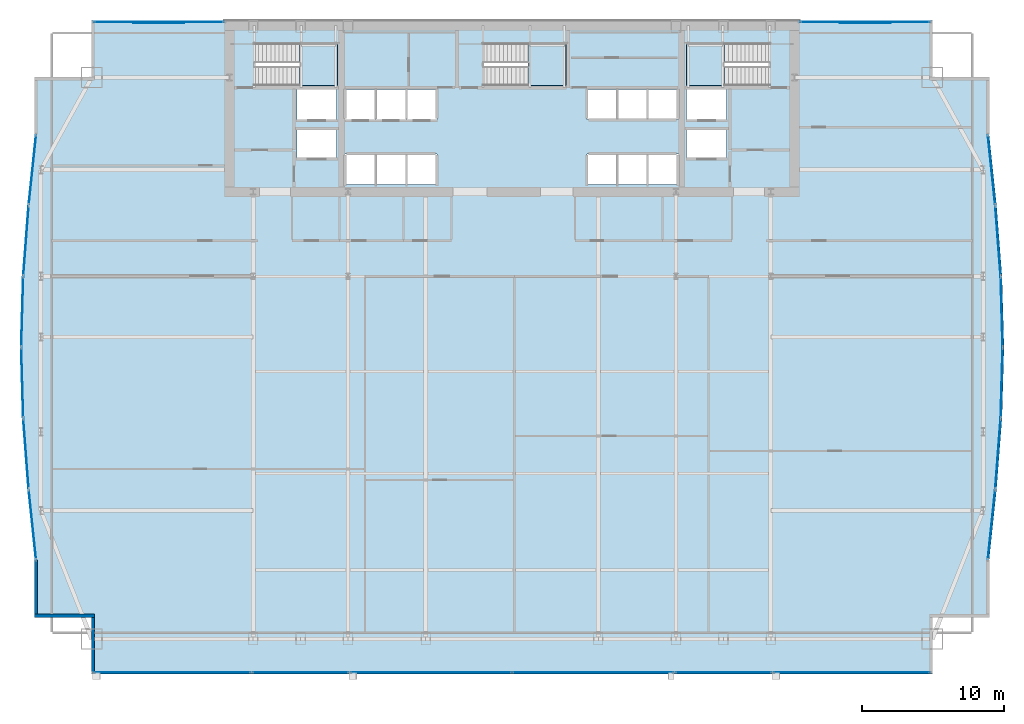
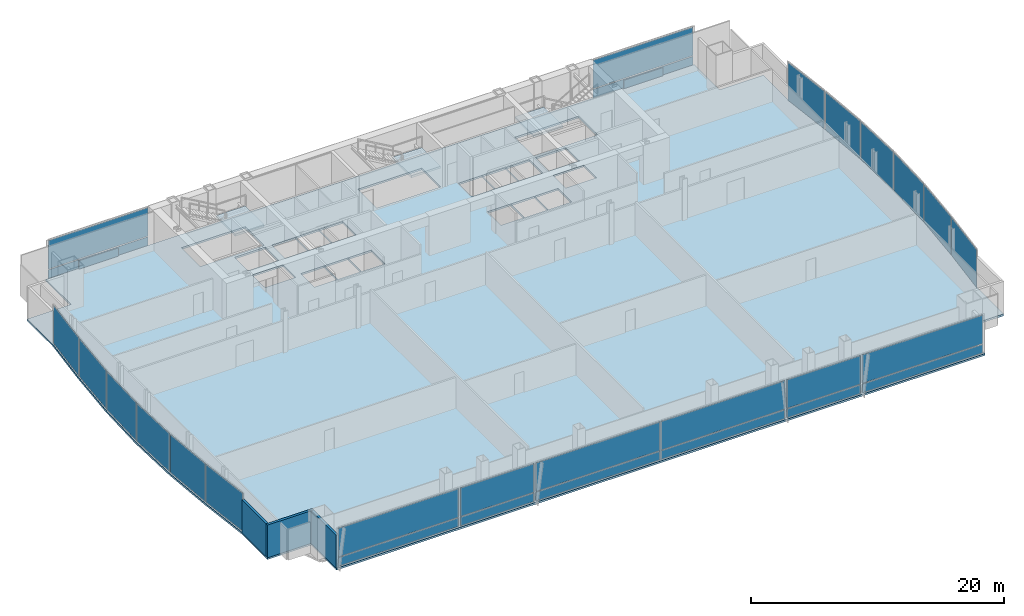
# One storey, part 25 of 30: 30 plates, 4 slabs, 3 walls, 22 elements without a shape of their own.
"""IFC4 building model written with IfcOpenShell, lengths in metres."""

from ifc_helpers import new_model, si_unit, direction, frame, frame_2d, origin, origin_2d, place, context, subcontext, project, spatial, polyline, rectangle, outline, extrude, material, layer, layer_set, type_object, element, aggregate, save


model = new_model("IFC4")

# Units and contexts
model_context = context("Model", 3, precision=1e-05, world=origin(), true_north=direction((0.0, 1.0)))
body_context = subcontext(model_context, "Body", "Model", "MODEL_VIEW")
ifc_project = project(units=[si_unit("LENGTHUNIT", "METRE"), si_unit("AREAUNIT", "SQUARE_METRE"), si_unit("VOLUMEUNIT", "CUBIC_METRE"), si_unit("PLANEANGLEUNIT", "RADIAN"), si_unit("MASSUNIT", "GRAM", prefix="KILO")], contexts=[model_context])

# Site, building, storey
site_placement = place(None, origin())
site = spatial("IfcSite", under=ifc_project, at=site_placement, CompositionType="ELEMENT")
building_placement = place(site_placement, origin())
building = spatial("IfcBuilding", under=site, at=building_placement, Name="Khoronbel Lancet Exchange", CompositionType="ELEMENT")
storey_placement = place(building_placement, frame((0.0, 0.0, 98.60009765625)))
storey = spatial("IfcBuildingStorey", under=building, at=storey_placement, Name="L23", CompositionType="ELEMENT", Elevation=98.60009765625)

# Curtain wall, plate
ifc_material_1 = material(Name="Low-E Solar Control Insulating Glass", Category="glass")
curtain_wall_type_1 = type_object("IfcCurtainWallType", Name="CW-4", PredefinedType="NOTDEFINED", material=ifc_material_1)
curtain_wall_1_placement = place(storey_placement, origin())
curtain_wall_1 = element("IfcCurtainWall", 1, at=curtain_wall_1_placement, inside=storey, type_object=curtain_wall_type_1, Name="Unitised curtain wall CW-L23-E05", PredefinedType="NOTDEFINED")
ifc_material_2 = material(Name="Bronze-Anodised Aluminium 6063-T6", Category="aluminium")
ifc_layer_1 = layer(ifc_material_2, 0.050048828125, Name="Bronze-Anodised Aluminium 6063-T6")
ifc_layer_set_1 = layer_set([ifc_layer_1], Name="Bronze-Anodised Aluminium 6063-T6")
plate_type_1 = type_object("IfcPlateType", Name="PLT-CSP1", PredefinedType="SHEET", material=ifc_layer_set_1)
plate_1_placement = place(storey_placement, frame((2.22265625, 23.206298828125, 0.0849609375), z_axis=(0.0, 0.0, 1.0), x_axis=(-0.076626304874, 0.997059882555, 0.0)))
plate_1 = element("IfcPlate", 2, at=plate_1_placement, type_object=plate_type_1, Name="CW4 panel 1.1", PredefinedType="CURTAIN_PANEL", context=body_context, shape_type="SweptSolid", body=[
    extrude(rectangle(XDim=4.861328125, YDim=0.0380859375, at=origin_2d()), origin(), (0.0, 0.0, 1.0), 3.64990234375),
])
aggregate(curtain_wall_1, [plate_1])

curtain_wall_2_placement = place(storey_placement, origin())
curtain_wall_2 = element("IfcCurtainWall", 3, at=curtain_wall_2_placement, inside=storey, type_object=curtain_wall_type_1, Name="Unitised curtain wall CW-L23-E06", PredefinedType="NOTDEFINED")
plate_2_placement = place(storey_placement, frame((1.960205078125, 28.202392578125, 0.0849609375), z_axis=(0.0, 0.0, 1.0), x_axis=(-0.028135315146, 0.999604123662, 0.0)))
plate_2 = element("IfcPlate", 4, at=plate_2_placement, type_object=plate_type_1, Name="CW4 panel 1.1", PredefinedType="CURTAIN_PANEL", context=body_context, shape_type="SweptSolid", body=[
    extrude(rectangle(XDim=4.84716796875, YDim=0.0380859375, at=origin_2d()), origin(), (0.0, 0.0, 1.0), 3.64990234375),
])
aggregate(curtain_wall_2, [plate_2])

curtain_wall_3_placement = place(storey_placement, origin())
curtain_wall_3 = element("IfcCurtainWall", 5, at=curtain_wall_3_placement, inside=storey, type_object=curtain_wall_type_1, Name="Unitised curtain wall CW-L23-E07", PredefinedType="NOTDEFINED")
plate_3_placement = place(storey_placement, frame((1.960205078125, 33.19775390625, 0.0849609375), z_axis=(0.0, 0.0, 1.0), x_axis=(0.028135315146, 0.999604123662, 0.0)))
plate_3 = element("IfcPlate", 6, at=plate_3_placement, type_object=plate_type_1, Name="CW4 panel 1.1", PredefinedType="CURTAIN_PANEL", context=body_context, shape_type="SweptSolid", body=[
    extrude(rectangle(XDim=4.84716796875, YDim=0.0380859375, at=origin_2d()), origin(), (0.0, 0.0, 1.0), 3.64990234375),
])
aggregate(curtain_wall_3, [plate_3])

curtain_wall_4_placement = place(storey_placement, origin())
curtain_wall_4 = element("IfcCurtainWall", 7, at=curtain_wall_4_placement, inside=storey, type_object=curtain_wall_type_1, Name="Unitised curtain wall CW-L23-E08", PredefinedType="NOTDEFINED")
plate_4_placement = place(storey_placement, frame((2.22265625, 38.193603515625, 0.0849609375), z_axis=(0.0, 0.0, 1.0), x_axis=(0.076626304874, 0.997059882555, 0.0)))
plate_4 = element("IfcPlate", 8, at=plate_4_placement, type_object=plate_type_1, Name="CW4 panel 1.1", PredefinedType="CURTAIN_PANEL", context=body_context, shape_type="SweptSolid", body=[
    extrude(rectangle(XDim=4.861328125, YDim=0.0380859375, at=origin_2d()), origin(), (0.0, 0.0, 1.0), 3.64990234375),
])
aggregate(curtain_wall_4, [plate_4])

curtain_wall_type_2 = type_object("IfcCurtainWallType", Name="CW-2", PredefinedType="NOTDEFINED", material=ifc_material_1)
curtain_wall_5_placement = place(storey_placement, origin())
curtain_wall_5 = element("IfcCurtainWall", 9, at=curtain_wall_5_placement, inside=storey, type_object=curtain_wall_type_2, Name="Unitised curtain wall CW-L23-NWFLK", PredefinedType="NOTDEFINED")
plate_5_placement = place(storey_placement, frame((11.580078125, 53.550048828125, 0.0498046875), z_axis=(0.0, 0.0, 1.0), x_axis=(-1.0, 0.0, 0.0)))
plate_5 = element("IfcPlate", 10, at=plate_5_placement, type_object=plate_type_1, Name="Insulated bronze spandrel cassette CW-L23-NWFLK", PredefinedType="SHEET", context=body_context, shape_type="SweptSolid", body=[
    extrude(rectangle(XDim=3.60009765625, YDim=0.050048828125, at=origin_2d()), origin(), (0.0, 0.0, 1.0), 0.800048828125),
])

curtain_wall_6_placement = place(storey_placement, origin())
curtain_wall_6 = element("IfcCurtainWall", 11, at=curtain_wall_6_placement, inside=storey, type_object=curtain_wall_type_2, Name="Unitised curtain wall CW-L23-NEFLK", PredefinedType="NOTDEFINED")
plate_6_placement = place(storey_placement, frame((61.320068359375, 53.550048828125, 0.0498046875), z_axis=(0.0, 0.0, 1.0), x_axis=(-1.0, 0.0, 0.0)))
plate_6 = element("IfcPlate", 12, at=plate_6_placement, type_object=plate_type_1, Name="Insulated bronze spandrel cassette CW-L23-NEFLK", PredefinedType="SHEET", context=body_context, shape_type="SweptSolid", body=[
    extrude(rectangle(XDim=3.60009765625, YDim=0.050048828125, at=origin_2d()), origin(), (0.0, 0.0, 1.0), 0.800048828125),
])

curtain_wall_7_placement = place(storey_placement, origin())
curtain_wall_7 = element("IfcCurtainWall", 13, at=curtain_wall_7_placement, inside=storey, type_object=curtain_wall_type_1, Name="Unitised curtain wall CW-L23-E18", PredefinedType="NOTDEFINED")
plate_7_placement = place(storey_placement, frame((70.677490234375, 38.193603515625, 0.0849609375), z_axis=(0.0, 0.0, 1.0), x_axis=(0.076626304874, -0.997059882555, 0.0)))
plate_7 = element("IfcPlate", 14, at=plate_7_placement, type_object=plate_type_1, Name="CW4 panel 1.1", PredefinedType="CURTAIN_PANEL", context=body_context, shape_type="SweptSolid", body=[
    extrude(rectangle(XDim=4.861328125, YDim=0.0380859375, at=origin_2d()), origin(), (0.0, 0.0, 1.0), 3.64990234375),
])
aggregate(curtain_wall_7, [plate_7])

curtain_wall_8_placement = place(storey_placement, origin())
curtain_wall_8 = element("IfcCurtainWall", 15, at=curtain_wall_8_placement, inside=storey, type_object=curtain_wall_type_1, Name="Unitised curtain wall CW-L23-E19", PredefinedType="NOTDEFINED")
plate_8_placement = place(storey_placement, frame((70.939697265625, 33.19775390625, 0.0849609375), z_axis=(0.0, 0.0, 1.0), x_axis=(0.028135315146, -0.999604123662, 0.0)))
plate_8 = element("IfcPlate", 16, at=plate_8_placement, type_object=plate_type_1, Name="CW4 panel 1.1", PredefinedType="CURTAIN_PANEL", context=body_context, shape_type="SweptSolid", body=[
    extrude(rectangle(XDim=4.84716796875, YDim=0.0380859375, at=origin_2d()), origin(), (0.0, 0.0, 1.0), 3.64990234375),
])
aggregate(curtain_wall_8, [plate_8])

curtain_wall_9_placement = place(storey_placement, origin())
curtain_wall_9 = element("IfcCurtainWall", 17, at=curtain_wall_9_placement, inside=storey, type_object=curtain_wall_type_1, Name="Unitised curtain wall CW-L23-E20", PredefinedType="NOTDEFINED")
plate_9_placement = place(storey_placement, frame((70.939697265625, 28.202392578125, 0.0849609375), z_axis=(0.0, 0.0, 1.0), x_axis=(-0.028135315146, -0.999604123662, 0.0)))
plate_9 = element("IfcPlate", 18, at=plate_9_placement, type_object=plate_type_1, Name="CW4 panel 1.1", PredefinedType="CURTAIN_PANEL", context=body_context, shape_type="SweptSolid", body=[
    extrude(rectangle(XDim=4.84716796875, YDim=0.0380859375, at=origin_2d()), origin(), (0.0, 0.0, 1.0), 3.64990234375),
])
aggregate(curtain_wall_9, [plate_9])

curtain_wall_10_placement = place(storey_placement, origin())
curtain_wall_10 = element("IfcCurtainWall", 19, at=curtain_wall_10_placement, inside=storey, type_object=curtain_wall_type_1, Name="Unitised curtain wall CW-L23-E21", PredefinedType="NOTDEFINED")
plate_10_placement = place(storey_placement, frame((70.677490234375, 23.206298828125, 0.0849609375), z_axis=(0.0, 0.0, 1.0), x_axis=(-0.076626304874, -0.997059882555, 0.0)))
plate_10 = element("IfcPlate", 20, at=plate_10_placement, type_object=plate_type_1, Name="CW4 panel 1.1", PredefinedType="CURTAIN_PANEL", context=body_context, shape_type="SweptSolid", body=[
    extrude(rectangle(XDim=4.861328125, YDim=0.0380859375, at=origin_2d()), origin(), (0.0, 0.0, 1.0), 3.64990234375),
])
aggregate(curtain_wall_10, [plate_10])

# Curtain wall, plates
curtain_wall_11_placement = place(storey_placement, origin())
curtain_wall_11 = element("IfcCurtainWall", 21, at=curtain_wall_11_placement, inside=storey, type_object=curtain_wall_type_2, Name="Unitised curtain wall CW-L23-SWB", PredefinedType="NOTDEFINED")
plate_11_placement = place(storey_placement, frame((21.550048828125, 7.7900390625, 0.0849609375), z_axis=(0.0, 0.0, 1.0), x_axis=(1.0, 0.0, 0.0)))
plate_11 = element("IfcPlate", 22, at=plate_11_placement, type_object=plate_type_1, Name="CW2 panel 1.1", PredefinedType="CURTAIN_PANEL", context=body_context, shape_type="SweptSolid", body=[
    extrude(rectangle(XDim=6.72998046875, YDim=0.0380859375, at=origin_2d()), origin(), (0.0, 0.0, 1.0), 0.822509765625),
])
plate_12_placement = place(storey_placement, frame((21.550048828125, 7.7900390625, 0.99267578125), z_axis=(0.0, 0.0, 1.0), x_axis=(1.0, 0.0, 0.0)))
plate_12 = element("IfcPlate", 23, at=plate_12_placement, type_object=plate_type_1, Name="CW2 panel 1.2", PredefinedType="CURTAIN_PANEL", context=body_context, shape_type="SweptSolid", body=[
    extrude(rectangle(XDim=6.72998046875, YDim=0.0380859375, at=origin_2d()), origin(), (0.0, 0.0, 1.0), 2.742431640625),
])
aggregate(curtain_wall_11, [plate_11, plate_12])

curtain_wall_12_placement = place(storey_placement, origin())
curtain_wall_12 = element("IfcCurtainWall", 24, at=curtain_wall_12_placement, inside=storey, type_object=curtain_wall_type_2, Name="Unitised curtain wall CW-L23-SEB", PredefinedType="NOTDEFINED")
plate_13_placement = place(storey_placement, frame((51.35009765625, 7.7900390625, 0.0849609375), z_axis=(0.0, 0.0, 1.0), x_axis=(1.0, 0.0, 0.0)))
plate_13 = element("IfcPlate", 25, at=plate_13_placement, type_object=plate_type_1, Name="CW2 panel 1.1", PredefinedType="CURTAIN_PANEL", context=body_context, shape_type="SweptSolid", body=[
    extrude(rectangle(XDim=6.72998046875, YDim=0.0380859375, at=origin_2d()), origin(), (0.0, 0.0, 1.0), 0.822509765625),
])
plate_14_placement = place(storey_placement, frame((51.35009765625, 7.7900390625, 0.99267578125), z_axis=(0.0, 0.0, 1.0), x_axis=(1.0, 0.0, 0.0)))
plate_14 = element("IfcPlate", 26, at=plate_14_placement, type_object=plate_type_1, Name="CW2 panel 1.2", PredefinedType="CURTAIN_PANEL", context=body_context, shape_type="SweptSolid", body=[
    extrude(rectangle(XDim=6.72998046875, YDim=0.0380859375, at=origin_2d()), origin(), (0.0, 0.0, 1.0), 2.742431640625),
])
aggregate(curtain_wall_12, [plate_13, plate_14])

# Plate
ifc_layer_2 = layer(ifc_material_1, 0.035888671875, Name="Low-E Solar Control Insulating Glass")
ifc_layer_set_2 = layer_set([ifc_layer_2], Name="Low-E Solar Control Insulating Glass")
plate_type_2 = type_object("IfcPlateType", Name="PLT-CWP1", PredefinedType="CURTAIN_PANEL", material=ifc_layer_set_2)
plate_15_placement = place(storey_placement, frame((11.580078125, 53.610107421875, 0.0849609375), z_axis=(0.0, 0.0, 1.0), x_axis=(-1.0, 0.0, 0.0)))
plate_15 = element("IfcPlate", 27, at=plate_15_placement, type_object=plate_type_2, Name="CW2 panel 1.1", PredefinedType="CURTAIN_PANEL", context=body_context, shape_type="SweptSolid", body=[
    extrude(rectangle(XDim=9.110107421875, YDim=0.0380859375, at=origin_2d()), origin(), (0.0, 0.0, 1.0), 0.822509765625),
])

plate_16_placement = place(storey_placement, frame((11.580078125, 53.610107421875, 0.99267578125), z_axis=(0.0, 0.0, 1.0), x_axis=(-1.0, 0.0, 0.0)))
plate_16 = element("IfcPlate", 28, at=plate_16_placement, type_object=plate_type_2, Name="CW2 panel 1.2", PredefinedType="CURTAIN_PANEL", context=body_context, shape_type="SweptSolid", body=[
    extrude(rectangle(XDim=9.110107421875, YDim=0.0380859375, at=origin_2d()), origin(), (0.0, 0.0, 1.0), 2.742431640625),
])

aggregate(curtain_wall_5, [plate_15, plate_16, plate_5])

plate_17_placement = place(storey_placement, frame((61.320068359375, 53.610107421875, 0.0849609375), z_axis=(0.0, 0.0, 1.0), x_axis=(-1.0, 0.0, 0.0)))
plate_17 = element("IfcPlate", 29, at=plate_17_placement, type_object=plate_type_2, Name="CW2 panel 1.1", PredefinedType="CURTAIN_PANEL", context=body_context, shape_type="SweptSolid", body=[
    extrude(rectangle(XDim=9.110107421875, YDim=0.0380859375, at=origin_2d()), origin(), (0.0, 0.0, 1.0), 0.822509765625),
])

plate_18_placement = place(storey_placement, frame((61.320068359375, 53.610107421875, 0.99267578125), z_axis=(0.0, 0.0, 1.0), x_axis=(-1.0, 0.0, 0.0)))
plate_18 = element("IfcPlate", 30, at=plate_18_placement, type_object=plate_type_2, Name="CW2 panel 1.2", PredefinedType="CURTAIN_PANEL", context=body_context, shape_type="SweptSolid", body=[
    extrude(rectangle(XDim=9.110107421875, YDim=0.0380859375, at=origin_2d()), origin(), (0.0, 0.0, 1.0), 2.742431640625),
])

aggregate(curtain_wall_6, [plate_17, plate_18, plate_6])

# Curtain wall, plates
curtain_wall_13_placement = place(storey_placement, origin())
curtain_wall_13 = element("IfcCurtainWall", 31, at=curtain_wall_13_placement, inside=storey, type_object=curtain_wall_type_2, Name="Unitised curtain wall CW-L23-SWV", PredefinedType="NOTDEFINED")
plate_19_placement = place(storey_placement, frame((12.52001953125, 7.7900390625, 0.0849609375), z_axis=(0.0, 0.0, 1.0), x_axis=(1.0, 0.0, 0.0)))
plate_19 = element("IfcPlate", 32, at=plate_19_placement, type_object=plate_type_2, Name="CW2 panel 1.1", PredefinedType="CURTAIN_PANEL", context=body_context, shape_type="SweptSolid", body=[
    extrude(rectangle(XDim=10.989990234375, YDim=0.0380859375, at=origin_2d()), origin(), (0.0, 0.0, 1.0), 0.822509765625),
])
plate_20_placement = place(storey_placement, frame((12.52001953125, 7.7900390625, 0.99267578125), z_axis=(0.0, 0.0, 1.0), x_axis=(1.0, 0.0, 0.0)))
plate_20 = element("IfcPlate", 33, at=plate_20_placement, type_object=plate_type_2, Name="CW2 panel 1.2", PredefinedType="CURTAIN_PANEL", context=body_context, shape_type="SweptSolid", body=[
    extrude(rectangle(XDim=10.989990234375, YDim=0.0380859375, at=origin_2d()), origin(), (0.0, 0.0, 1.0), 2.742431640625),
])
aggregate(curtain_wall_13, [plate_19, plate_20])

curtain_wall_14_placement = place(storey_placement, origin())
curtain_wall_14 = element("IfcCurtainWall", 34, at=curtain_wall_14_placement, inside=storey, type_object=curtain_wall_type_2, Name="Unitised curtain wall CW-L23-SCV", PredefinedType="NOTDEFINED")
plate_21_placement = place(storey_placement, frame((30.746337890625, 7.7900390625, 0.0849609375), z_axis=(0.0, 0.0, 1.0), x_axis=(1.0, 0.0, 0.0)))
plate_21 = element("IfcPlate", 35, at=plate_21_placement, type_object=plate_type_2, Name="CW2 panel 1.1", PredefinedType="CURTAIN_PANEL", context=body_context, shape_type="SweptSolid", body=[
    extrude(rectangle(XDim=11.322509765625, YDim=0.0380859375, at=origin_2d()), origin(), (0.0, 0.0, 1.0), 0.822509765625),
])
plate_22_placement = place(storey_placement, frame((30.746337890625, 7.7900390625, 0.99267578125), z_axis=(0.0, 0.0, 1.0), x_axis=(1.0, 0.0, 0.0)))
plate_22 = element("IfcPlate", 36, at=plate_22_placement, type_object=plate_type_2, Name="CW2 panel 1.2", PredefinedType="CURTAIN_PANEL", context=body_context, shape_type="SweptSolid", body=[
    extrude(rectangle(XDim=11.322509765625, YDim=0.0380859375, at=origin_2d()), origin(), (0.0, 0.0, 1.0), 2.742431640625),
])
plate_23_placement = place(storey_placement, frame((42.15380859375, 7.7900390625, 0.0849609375), z_axis=(0.0, 0.0, 1.0), x_axis=(1.0, 0.0, 0.0)))
plate_23 = element("IfcPlate", 37, at=plate_23_placement, type_object=plate_type_2, Name="CW2 panel 2.1", PredefinedType="CURTAIN_PANEL", context=body_context, shape_type="SweptSolid", body=[
    extrude(rectangle(XDim=11.322509765625, YDim=0.0380859375, at=origin_2d()), origin(), (0.0, 0.0, 1.0), 0.822509765625),
])
plate_24_placement = place(storey_placement, frame((42.15380859375, 7.7900390625, 0.99267578125), z_axis=(0.0, 0.0, 1.0), x_axis=(1.0, 0.0, 0.0)))
plate_24 = element("IfcPlate", 38, at=plate_24_placement, type_object=plate_type_2, Name="CW2 panel 2.2", PredefinedType="CURTAIN_PANEL", context=body_context, shape_type="SweptSolid", body=[
    extrude(rectangle(XDim=11.322509765625, YDim=0.0380859375, at=origin_2d()), origin(), (0.0, 0.0, 1.0), 2.742431640625),
])
aggregate(curtain_wall_14, [plate_21, plate_22, plate_23, plate_24])

curtain_wall_15_placement = place(storey_placement, origin())
curtain_wall_15 = element("IfcCurtainWall", 39, at=curtain_wall_15_placement, inside=storey, type_object=curtain_wall_type_2, Name="Unitised curtain wall CW-L23-SEV", PredefinedType="NOTDEFINED")
plate_25_placement = place(storey_placement, frame((60.3798828125, 7.7900390625, 0.0849609375), z_axis=(0.0, 0.0, 1.0), x_axis=(1.0, 0.0, 0.0)))
plate_25 = element("IfcPlate", 40, at=plate_25_placement, type_object=plate_type_2, Name="CW2 panel 1.1", PredefinedType="CURTAIN_PANEL", context=body_context, shape_type="SweptSolid", body=[
    extrude(rectangle(XDim=10.989990234375, YDim=0.0380859375, at=origin_2d()), origin(), (0.0, 0.0, 1.0), 0.822509765625),
])
plate_26_placement = place(storey_placement, frame((60.3798828125, 7.7900390625, 0.99267578125), z_axis=(0.0, 0.0, 1.0), x_axis=(1.0, 0.0, 0.0)))
plate_26 = element("IfcPlate", 41, at=plate_26_placement, type_object=plate_type_2, Name="CW2 panel 1.2", PredefinedType="CURTAIN_PANEL", context=body_context, shape_type="SweptSolid", body=[
    extrude(rectangle(XDim=10.989990234375, YDim=0.0380859375, at=origin_2d()), origin(), (0.0, 0.0, 1.0), 2.742431640625),
])
aggregate(curtain_wall_15, [plate_25, plate_26])

# Curtain wall, plate
curtain_wall_16_placement = place(storey_placement, origin())
curtain_wall_16 = element("IfcCurtainWall", 42, at=curtain_wall_16_placement, inside=storey, type_object=curtain_wall_type_1, Name="Unitised curtain wall CW-L23-E04", PredefinedType="NOTDEFINED")
ifc_material_3 = material(Name="Ceramic-Fritted Laminated Insulating Glass", Category="glass")
ifc_layer_3 = layer(ifc_material_3, 0.0419921875, Name="Ceramic-Fritted Laminated Insulating Glass")
ifc_layer_set_3 = layer_set([ifc_layer_3], Name="Ceramic-Fritted Laminated Insulating Glass")
plate_type_3 = type_object("IfcPlateType", Name="PLT-CWP2", PredefinedType="CURTAIN_PANEL", material=ifc_layer_set_3)
plate_27_placement = place(storey_placement, frame((2.67724609375, 18.206298828125, 0.0849609375), z_axis=(0.0, 0.0, 1.0), x_axis=(-0.104434383958, 0.994531779003, 0.0)))
plate_27 = element("IfcPlate", 43, at=plate_27_placement, type_object=plate_type_3, Name="CW4 panel 1.1", PredefinedType="CURTAIN_PANEL", context=body_context, shape_type="SweptSolid", body=[
    extrude(rectangle(XDim=4.880859375, YDim=0.0380859375, at=origin_2d()), origin(), (0.0, 0.0, 1.0), 3.64990234375),
])
aggregate(curtain_wall_16, [plate_27])

curtain_wall_17_placement = place(storey_placement, origin())
curtain_wall_17 = element("IfcCurtainWall", 44, at=curtain_wall_17_placement, inside=storey, type_object=curtain_wall_type_1, Name="Unitised curtain wall CW-L23-E09", PredefinedType="NOTDEFINED")
plate_28_placement = place(storey_placement, frame((2.67724609375, 43.193603515625, 0.0849609375), z_axis=(0.0, 0.0, 1.0), x_axis=(0.104434383958, 0.994531779003, 0.0)))
plate_28 = element("IfcPlate", 45, at=plate_28_placement, type_object=plate_type_3, Name="CW4 panel 1.1", PredefinedType="CURTAIN_PANEL", context=body_context, shape_type="SweptSolid", body=[
    extrude(rectangle(XDim=4.880859375, YDim=0.0380859375, at=origin_2d()), origin(), (0.0, 0.0, 1.0), 3.64990234375),
])
aggregate(curtain_wall_17, [plate_28])

curtain_wall_18_placement = place(storey_placement, origin())
curtain_wall_18 = element("IfcCurtainWall", 46, at=curtain_wall_18_placement, inside=storey, type_object=curtain_wall_type_1, Name="Unitised curtain wall CW-L23-E17", PredefinedType="NOTDEFINED")
plate_29_placement = place(storey_placement, frame((70.22265625, 43.193603515625, 0.0849609375), z_axis=(0.0, 0.0, 1.0), x_axis=(0.104434383958, -0.994531779003, 0.0)))
plate_29 = element("IfcPlate", 47, at=plate_29_placement, type_object=plate_type_3, Name="CW4 panel 1.1", PredefinedType="CURTAIN_PANEL", context=body_context, shape_type="SweptSolid", body=[
    extrude(rectangle(XDim=4.880859375, YDim=0.0380859375, at=origin_2d()), origin(), (0.0, 0.0, 1.0), 3.64990234375),
])
aggregate(curtain_wall_18, [plate_29])

curtain_wall_19_placement = place(storey_placement, origin())
curtain_wall_19 = element("IfcCurtainWall", 48, at=curtain_wall_19_placement, inside=storey, type_object=curtain_wall_type_1, Name="Unitised curtain wall CW-L23-E22", PredefinedType="NOTDEFINED")
plate_30_placement = place(storey_placement, frame((70.22265625, 18.206298828125, 0.0849609375), z_axis=(0.0, 0.0, 1.0), x_axis=(-0.104434383958, -0.994531779003, 0.0)))
plate_30 = element("IfcPlate", 49, at=plate_30_placement, type_object=plate_type_3, Name="CW4 panel 1.1", PredefinedType="CURTAIN_PANEL", context=body_context, shape_type="SweptSolid", body=[
    extrude(rectangle(XDim=4.880859375, YDim=0.0380859375, at=origin_2d()), origin(), (0.0, 0.0, 1.0), 3.64990234375),
])
aggregate(curtain_wall_19, [plate_30])

# Slab
ifc_material_4 = material(Name="Concrete C40/50", Category="concrete")
ifc_layer_4 = layer(ifc_material_4, 0.179931640625, Name="Concrete C40/50")
ifc_layer_set_4 = layer_set([ifc_layer_4], Name="Concrete C40/50")
slab_type_1 = type_object("IfcSlabType", Name="SL-FL180", PredefinedType="FLOOR", material=ifc_layer_set_4)
slab_1_placement = place(storey_placement, frame((0.0, 0.0, -0.18017578125)))
element("IfcSlab", 50, at=slab_1_placement, inside=storey, type_object=slab_type_1, Name="Level L23 composite structural floor slab", PredefinedType="FLOOR", context=body_context, shape_type="SweptSolid", body=[
    extrude(outline(polyline([(6.85009765625, 7.699951171875), (66.050048828125, 7.699951171875), (66.050048828125, 11.699951171875), (70.050048828125, 11.699951171875), (70.050048828125, 15.699951171875), (70.574951171875, 20.699951171875), (70.959228515625, 25.699951171875), (71.10009765625, 30.699951171875), (70.959228515625, 35.699951171875), (70.574951171875, 40.699951171875), (70.050048828125, 45.699951171875), (70.050048828125, 49.699951171875), (66.050048828125, 49.699951171875), (66.050048828125, 53.699951171875), (6.85009765625, 53.699951171875), (6.85009765625, 49.699951171875), (2.85009765625, 49.699951171875), (2.85009765625, 45.699951171875), (2.324951171875, 40.699951171875), (1.940673828125, 35.699951171875), (1.800048828125, 30.699951171875), (1.940673828125, 25.699951171875), (2.324951171875, 20.699951171875), (2.85009765625, 15.699951171875), (2.85009765625, 11.699951171875), (6.85009765625, 11.699951171875), (6.85009765625, 7.699951171875)]), holes=[polyline([(18.324951171875, 49.1201171875), (24.14990234375, 49.1201171875), (24.14990234375, 52.10009765625), (18.324951171875, 52.10009765625), (18.324951171875, 49.1201171875)]), polyline([(48.75, 49.1201171875), (54.574951171875, 49.1201171875), (54.574951171875, 52.10009765625), (48.75, 52.10009765625), (48.75, 49.1201171875)]), polyline([(34.425048828125, 49.1201171875), (40.25, 49.1201171875), (40.25, 52.10009765625), (34.425048828125, 52.10009765625), (34.425048828125, 49.1201171875)]), polyline([(24.699951171875, 46.75), (26.840087890625, 46.75), (26.840087890625, 48.85009765625), (24.699951171875, 48.85009765625), (24.699951171875, 46.75)]), polyline([(26.860107421875, 46.75), (29.0, 46.75), (29.0, 48.85009765625), (26.860107421875, 48.85009765625), (26.860107421875, 46.75)]), polyline([(29.02001953125, 46.75), (31.159912109375, 46.75), (31.159912109375, 48.85009765625), (29.02001953125, 48.85009765625), (29.02001953125, 46.75)]), polyline([(24.699951171875, 42.14990234375), (26.840087890625, 42.14990234375), (26.840087890625, 44.300048828125), (24.699951171875, 44.300048828125), (24.699951171875, 42.14990234375)]), polyline([(26.860107421875, 42.14990234375), (29.0, 42.14990234375), (29.0, 44.300048828125), (26.860107421875, 44.300048828125), (26.860107421875, 42.14990234375)]), polyline([(29.02001953125, 42.14990234375), (31.159912109375, 42.14990234375), (31.159912109375, 44.300048828125), (29.02001953125, 44.300048828125), (29.02001953125, 42.14990234375)]), polyline([(41.739990234375, 46.75), (43.8798828125, 46.75), (43.8798828125, 48.85009765625), (41.739990234375, 48.85009765625), (41.739990234375, 46.75)]), polyline([(43.89990234375, 46.75), (46.0400390625, 46.75), (46.0400390625, 48.85009765625), (43.89990234375, 48.85009765625), (43.89990234375, 46.75)]), polyline([(46.06005859375, 46.75), (48.199951171875, 46.75), (48.199951171875, 48.85009765625), (46.06005859375, 48.85009765625), (46.06005859375, 46.75)]), polyline([(41.739990234375, 42.14990234375), (43.8798828125, 42.14990234375), (43.8798828125, 44.300048828125), (41.739990234375, 44.300048828125), (41.739990234375, 42.14990234375)]), polyline([(43.89990234375, 42.14990234375), (46.0400390625, 42.14990234375), (46.0400390625, 44.300048828125), (43.89990234375, 44.300048828125), (43.89990234375, 42.14990234375)]), polyline([(46.06005859375, 42.14990234375), (48.199951171875, 42.14990234375), (48.199951171875, 44.300048828125), (46.06005859375, 44.300048828125), (46.06005859375, 42.14990234375)]), polyline([(21.300048828125, 46.75), (24.10009765625, 46.75), (24.10009765625, 48.85009765625), (21.300048828125, 48.85009765625), (21.300048828125, 46.75)]), polyline([(48.75, 46.75), (51.550048828125, 46.75), (51.550048828125, 48.85009765625), (48.75, 48.85009765625), (48.75, 46.75)]), polyline([(21.300048828125, 44.050048828125), (24.10009765625, 44.050048828125), (24.10009765625, 46.050048828125), (21.300048828125, 46.050048828125), (21.300048828125, 44.050048828125)]), polyline([(48.75, 44.050048828125), (51.550048828125, 44.050048828125), (51.550048828125, 46.050048828125), (48.75, 46.050048828125), (48.75, 44.050048828125)])]), origin(), (0.0, 0.0, 1.0), 0.18017578125),
])

# Stair, slab
stair_type = type_object("IfcStairType", Name="STR-CORE150", PredefinedType="HALF_TURN_STAIR", material=ifc_material_4)
stair_1_placement = place(storey_placement, origin())
stair_1 = element("IfcStair", 51, at=stair_1_placement, inside=storey, type_object=stair_type, Name="L23 Protected Exit Stair ST1", PredefinedType="HALF_TURN_STAIR")
ifc_layer_5 = layer(ifc_material_4, 0.199951171875, Name="Concrete C40/50")
ifc_layer_set_5 = layer_set([ifc_layer_5], Name="Concrete C40/50")
slab_type_2 = type_object("IfcSlabType", Name="SL-LND180", PredefinedType="LANDING", material=ifc_layer_set_5)
slab_2_placement = place(storey_placement, frame((0.0, 0.0, 1.7998046875)))
slab_2 = element("IfcSlab", 52, at=slab_2_placement, type_object=slab_type_2, Name="ST1 landing 1", PredefinedType="LANDING", context=body_context, shape_type="SweptSolid", body=[
    extrude(outline(polyline([(21.489990234375, 49.1201171875), (24.14990234375, 49.1201171875), (24.14990234375, 52.10009765625), (21.489990234375, 52.10009765625), (21.489990234375, 49.1201171875)])), origin(), (0.0, 0.0, 1.0), 0.2001953125),
])
aggregate(stair_1, [slab_2])

stair_2_placement = place(storey_placement, origin())
stair_2 = element("IfcStair", 53, at=stair_2_placement, inside=storey, type_object=stair_type, Name="L23 Protected Exit Stair ST2", PredefinedType="HALF_TURN_STAIR")
slab_3_placement = place(storey_placement, frame((0.0, 0.0, 1.7998046875)))
slab_3 = element("IfcSlab", 54, at=slab_3_placement, type_object=slab_type_2, Name="ST2 landing 1", PredefinedType="LANDING", context=body_context, shape_type="SweptSolid", body=[
    extrude(outline(polyline([(51.409912109375, 52.10009765625), (48.75, 52.10009765625), (48.75, 49.1201171875), (51.409912109375, 49.1201171875), (51.409912109375, 52.10009765625)])), origin(), (0.0, 0.0, 1.0), 0.2001953125),
])
aggregate(stair_2, [slab_3])

stair_3_placement = place(storey_placement, origin())
stair_3 = element("IfcStair", 55, at=stair_3_placement, inside=storey, type_object=stair_type, Name="L23 Protected Exit Stair ST3", PredefinedType="HALF_TURN_STAIR")
slab_4_placement = place(storey_placement, frame((0.0, 0.0, 1.7998046875)))
slab_4 = element("IfcSlab", 56, at=slab_4_placement, type_object=slab_type_2, Name="ST3 landing 1", PredefinedType="LANDING", context=body_context, shape_type="SweptSolid", body=[
    extrude(outline(polyline([(37.590087890625, 49.1201171875), (40.25, 49.1201171875), (40.25, 52.10009765625), (37.590087890625, 52.10009765625), (37.590087890625, 49.1201171875)])), origin(), (0.0, 0.0, 1.0), 0.2001953125),
])
aggregate(stair_3, [slab_4])

# Walls
ifc_material_5 = material(Name="Precast concrete C40/50", Category="concrete")
ifc_layer_6 = layer(ifc_material_5, 0.25, Name="Precast concrete C40/50")
ifc_layer_set_6 = layer_set([ifc_layer_6], Name="Precast concrete C40/50")
wall_type = type_object("IfcWallType", Name="WL-EXT250", PredefinedType="SOLIDWALL", material=ifc_layer_set_6)
wall_1_placement = place(storey_placement, frame((6.93994140625, 7.77001953125, 0.0), z_axis=(0.0, 0.0, 1.0), x_axis=(0.0, 1.0, 0.0)))
element("IfcWall", 57, at=wall_1_placement, inside=storey, type_object=wall_type, Name="Level L23 notched-corner limestone pier 01", PredefinedType="SOLIDWALL", context=body_context, shape_type="SweptSolid", body=[
    extrude(rectangle(XDim=3.909912109375, YDim=0.219970703125, at=frame_2d((1.955078125, 0.0))), origin(), (0.0, 0.0, 1.0), 3.159912109375),
])
wall_2_placement = place(storey_placement, frame((7.050048828125, 11.7900390625, 0.0), z_axis=(0.0, 0.0, 1.0), x_axis=(-1.0, 0.0, 0.0)))
element("IfcWall", 58, at=wall_2_placement, inside=storey, type_object=wall_type, Name="Level L23 notched-corner limestone pier 02", PredefinedType="SOLIDWALL", context=body_context, shape_type="SweptSolid", body=[
    extrude(rectangle(XDim=4.219970703125, YDim=0.219970703125, at=frame_2d((2.10986328125, 0.0))), origin(), (0.0, 0.0, 1.0), 3.159912109375),
])
wall_3_placement = place(storey_placement, frame((2.93994140625, 11.89990234375, 0.0), z_axis=(0.0, 0.0, 1.0), x_axis=(0.0, 1.0, 0.0)))
element("IfcWall", 59, at=wall_3_placement, inside=storey, type_object=wall_type, Name="Level L23 notched-corner limestone pier 03", PredefinedType="SOLIDWALL", context=body_context, shape_type="SweptSolid", body=[
    extrude(rectangle(XDim=3.82470703125, YDim=0.219970703125, at=frame_2d((1.912353515625, 0.0))), origin(), (0.0, 0.0, 1.0), 3.159912109375),
])

save(model, "model.ifc")
